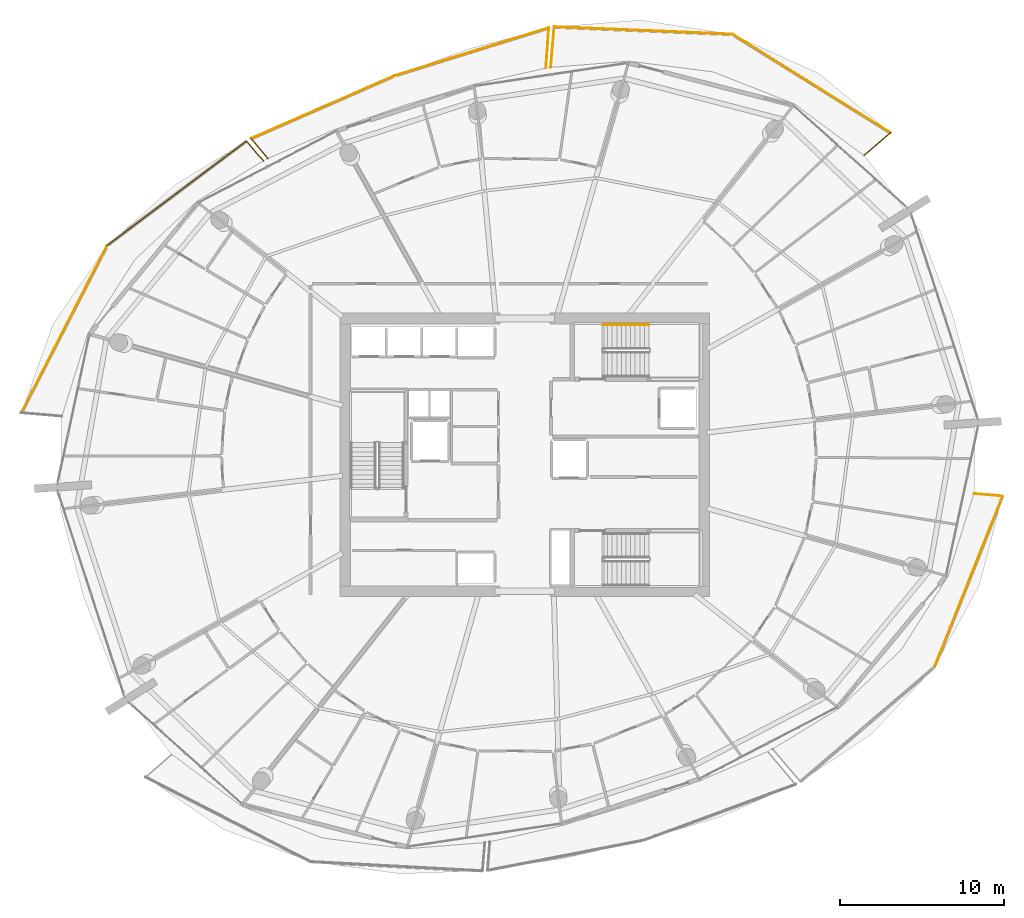
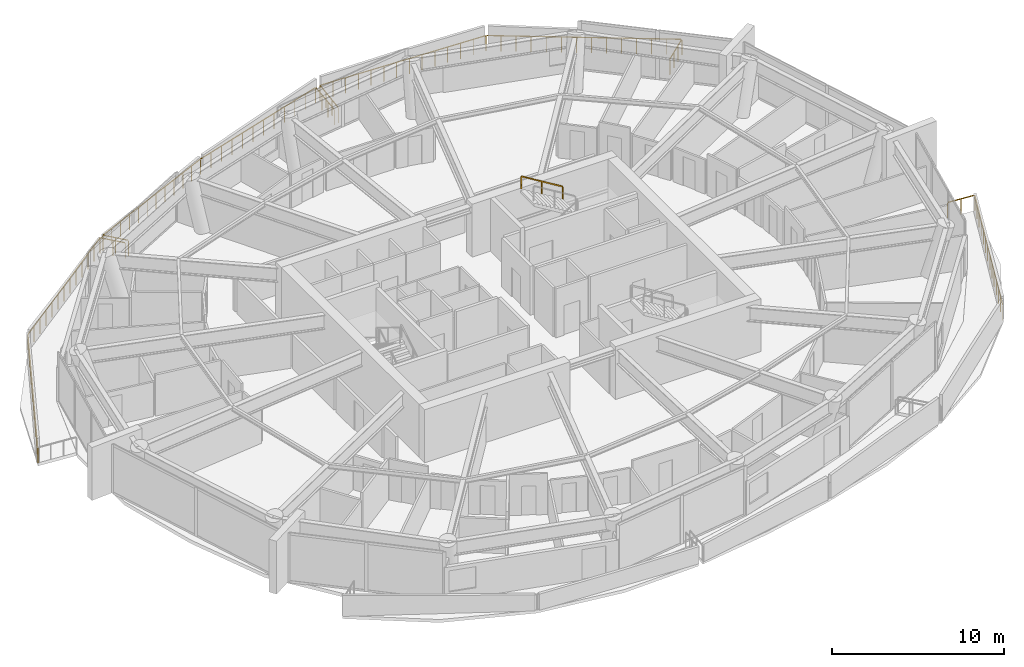
# One storey, part 20 of 20: 14 railings.
"""IFC4 building model written with IfcOpenShell, lengths in metres."""

from ifc_helpers import new_model, si_unit, direction, frame, origin, origin_2d, place, context, subcontext, project, spatial, rectangle, extrude, material, type_object, element, save


model = new_model("IFC4")

# Units and contexts
model_context = context("Model", 3, precision=1e-05, world=origin(), true_north=direction((0.0, 1.0)))
body_context = subcontext(model_context, "Body", "Model", "MODEL_VIEW")
ifc_project = project(units=[si_unit("LENGTHUNIT", "METRE"), si_unit("AREAUNIT", "SQUARE_METRE"), si_unit("VOLUMEUNIT", "CUBIC_METRE"), si_unit("PLANEANGLEUNIT", "RADIAN"), si_unit("MASSUNIT", "GRAM", prefix="KILO")], contexts=[model_context])

# Site, building, storey
site_placement = place(None, origin())
site = spatial("IfcSite", under=ifc_project, at=site_placement, CompositionType="ELEMENT")
building_placement = place(site_placement, origin())
building = spatial("IfcBuilding", under=site, at=building_placement, Name="Kazma Halo Residences", CompositionType="ELEMENT")
storey_placement = place(building_placement, frame((0.0, 0.0, 221.550048828125)))
storey = spatial("IfcBuildingStorey", under=building, at=storey_placement, Name="L56", CompositionType="ELEMENT", Elevation=221.550048828125)

# Railings
ifc_material_1 = material(Name="Aluminium AW-6063 T6 Brushed Cap Rail", Category="aluminium")
railing_type_1 = type_object("IfcRailingType", Name="RLG-BAL-CAP-1120", PredefinedType="BALUSTRADE", material=ifc_material_1)
railing_1_placement = place(storey_placement, frame((69.130126953125, 60.271240234375, 0.0)))
element("IfcRailing", 1, at=railing_1_placement, inside=storey, type_object=railing_type_1, Name="L56 NE wave balcony guard 1", PredefinedType="BALUSTRADE", context=body_context, shape_type="SweptSolid", body=[
    extrude(rectangle(XDim=0.050048828125, YDim=0.050048828125, at=origin_2d()), frame((0.0322265625, 0.02783203125, 1.09521484375), z_axis=(0.75640764882, 0.654100503597, 0.0), x_axis=(-0.654100503597, 0.75640764882, 0.0)), (0.0, 0.0, 1.0), 2.04345703125),
    extrude(rectangle(XDim=0.0400390625, YDim=0.0400390625, at=origin_2d()), origin(), (0.0, 0.0, 1.0), 1.05810546875),
    extrude(rectangle(XDim=0.0400390625, YDim=0.0400390625, at=origin_2d()), frame((0.53662109375, 0.464111328125, 0.0)), (0.0, 0.0, 1.0), 1.05810546875),
    extrude(rectangle(XDim=0.0400390625, YDim=0.0400390625, at=origin_2d()), frame((1.073486328125, 0.92822265625, 0.0)), (0.0, 0.0, 1.0), 1.05810546875),
    extrude(rectangle(XDim=0.0400390625, YDim=0.0400390625, at=origin_2d()), frame((1.610107421875, 1.392333984375, 0.0)), (0.0, 0.0, 1.0), 1.05810546875),
])
railing_2_placement = place(storey_placement, frame((70.740234375, 61.66357421875, 0.0)))
element("IfcRailing", 2, at=railing_2_placement, inside=storey, type_object=railing_type_1, Name="L56 NE wave balcony guard 2", PredefinedType="BALUSTRADE", context=body_context, shape_type="SweptSolid", body=[
    extrude(rectangle(XDim=0.050048828125, YDim=0.050048828125, at=origin_2d()), frame((-0.0361328125, 0.0224609375, 1.09521484375), z_axis=(-0.848753354087, 0.528788940812, 0.0), x_axis=(-0.528788940812, -0.848753354087, 0.0)), (0.0, 0.0, 1.0), 11.29150390625),
    extrude(rectangle(XDim=0.0400390625, YDim=0.0400390625, at=origin_2d()), origin(), (0.0, 0.0, 1.0), 1.05810546875),
    extrude(rectangle(XDim=0.0400390625, YDim=0.0400390625, at=origin_2d()), frame((-0.74267578125, 0.462646484375, 0.0)), (0.0, 0.0, 1.0), 1.05810546875),
    extrude(rectangle(XDim=0.0400390625, YDim=0.0400390625, at=origin_2d()), frame((-1.485595703125, 0.925537109375, 0.0)), (0.0, 0.0, 1.0), 1.05810546875),
    extrude(rectangle(XDim=0.0400390625, YDim=0.0400390625, at=origin_2d()), frame((-2.228271484375, 1.38818359375, 0.0)), (0.0, 0.0, 1.0), 1.05810546875),
    extrude(rectangle(XDim=0.0400390625, YDim=0.0400390625, at=origin_2d()), frame((-2.97119140625, 1.85107421875, 0.0)), (0.0, 0.0, 1.0), 1.05810546875),
    extrude(rectangle(XDim=0.0400390625, YDim=0.0400390625, at=origin_2d()), frame((-3.7138671875, 2.313720703125, 0.0)), (0.0, 0.0, 1.0), 1.05810546875),
    extrude(rectangle(XDim=0.0400390625, YDim=0.0400390625, at=origin_2d()), frame((-4.45654296875, 2.776611328125, 0.0)), (0.0, 0.0, 1.0), 1.05810546875),
    extrude(rectangle(XDim=0.0400390625, YDim=0.0400390625, at=origin_2d()), frame((-5.199462890625, 3.2392578125, 0.0)), (0.0, 0.0, 1.0), 1.05810546875),
    extrude(rectangle(XDim=0.0400390625, YDim=0.0400390625, at=origin_2d()), frame((-5.942138671875, 3.7021484375, 0.0)), (0.0, 0.0, 1.0), 1.05810546875),
    extrude(rectangle(XDim=0.0400390625, YDim=0.0400390625, at=origin_2d()), frame((-6.684814453125, 4.164794921875, 0.0)), (0.0, 0.0, 1.0), 1.05810546875),
    extrude(rectangle(XDim=0.0400390625, YDim=0.0400390625, at=origin_2d()), frame((-7.427734375, 4.627685546875, 0.0)), (0.0, 0.0, 1.0), 1.05810546875),
    extrude(rectangle(XDim=0.0400390625, YDim=0.0400390625, at=origin_2d()), frame((-8.17041015625, 5.09033203125, 0.0)), (0.0, 0.0, 1.0), 1.05810546875),
    extrude(rectangle(XDim=0.0400390625, YDim=0.0400390625, at=origin_2d()), frame((-8.913330078125, 5.55322265625, 0.0)), (0.0, 0.0, 1.0), 1.05810546875),
    extrude(rectangle(XDim=0.0400390625, YDim=0.0400390625, at=origin_2d()), frame((-9.656005859375, 6.015869140625, 0.0)), (0.0, 0.0, 1.0), 1.05810546875),
])
railing_3_placement = place(storey_placement, frame((61.084228515625, 67.679443359375, 0.0)))
element("IfcRailing", 3, at=railing_3_placement, inside=storey, type_object=railing_type_1, Name="L56 NE wave balcony guard 3", PredefinedType="BALUSTRADE", context=body_context, shape_type="SweptSolid", body=[
    extrude(rectangle(XDim=0.050048828125, YDim=0.050048828125, at=origin_2d()), frame((-0.04248046875, 0.001708984375, 1.09521484375), z_axis=(-0.999139247637, 0.041482090486, 0.0), x_axis=(-0.041482090486, -0.999139247637, 0.0)), (0.0, 0.0, 1.0), 10.791259765625),
    extrude(rectangle(XDim=0.0400390625, YDim=0.0400390625, at=origin_2d()), origin(), (0.0, 0.0, 1.0), 1.05810546875),
    extrude(rectangle(XDim=0.0400390625, YDim=0.0400390625, at=origin_2d()), frame((-0.8359375, 0.03466796875, 0.0)), (0.0, 0.0, 1.0), 1.05810546875),
    extrude(rectangle(XDim=0.0400390625, YDim=0.0400390625, at=origin_2d()), frame((-1.671875, 0.0693359375, 0.0)), (0.0, 0.0, 1.0), 1.05810546875),
    extrude(rectangle(XDim=0.0400390625, YDim=0.0400390625, at=origin_2d()), frame((-2.5078125, 0.10400390625, 0.0)), (0.0, 0.0, 1.0), 1.05810546875),
    extrude(rectangle(XDim=0.0400390625, YDim=0.0400390625, at=origin_2d()), frame((-3.34375, 0.138916015625, 0.0)), (0.0, 0.0, 1.0), 1.05810546875),
    extrude(rectangle(XDim=0.0400390625, YDim=0.0400390625, at=origin_2d()), frame((-4.1796875, 0.173583984375, 0.0)), (0.0, 0.0, 1.0), 1.05810546875),
    extrude(rectangle(XDim=0.0400390625, YDim=0.0400390625, at=origin_2d()), frame((-5.015625, 0.208251953125, 0.0)), (0.0, 0.0, 1.0), 1.05810546875),
    extrude(rectangle(XDim=0.0400390625, YDim=0.0400390625, at=origin_2d()), frame((-5.851318359375, 0.242919921875, 0.0)), (0.0, 0.0, 1.0), 1.05810546875),
    extrude(rectangle(XDim=0.0400390625, YDim=0.0400390625, at=origin_2d()), frame((-6.687255859375, 0.277587890625, 0.0)), (0.0, 0.0, 1.0), 1.05810546875),
    extrude(rectangle(XDim=0.0400390625, YDim=0.0400390625, at=origin_2d()), frame((-7.523193359375, 0.312255859375, 0.0)), (0.0, 0.0, 1.0), 1.05810546875),
    extrude(rectangle(XDim=0.0400390625, YDim=0.0400390625, at=origin_2d()), frame((-8.359130859375, 0.34716796875, 0.0)), (0.0, 0.0, 1.0), 1.05810546875),
    extrude(rectangle(XDim=0.0400390625, YDim=0.0400390625, at=origin_2d()), frame((-9.195068359375, 0.3818359375, 0.0)), (0.0, 0.0, 1.0), 1.05810546875),
    extrude(rectangle(XDim=0.0400390625, YDim=0.0400390625, at=origin_2d()), frame((-10.031005859375, 0.41650390625, 0.0)), (0.0, 0.0, 1.0), 1.05810546875),
    extrude(rectangle(XDim=0.0400390625, YDim=0.0400390625, at=origin_2d()), frame((-10.866943359375, 0.451171875, 0.0)), (0.0, 0.0, 1.0), 1.05810546875),
])
railing_4_placement = place(storey_placement, frame((50.21728515625, 68.130615234375, 0.0)))
element("IfcRailing", 4, at=railing_4_placement, inside=storey, type_object=railing_type_1, Name="L56 NE wave balcony guard 4", PredefinedType="BALUSTRADE", context=body_context, shape_type="SweptSolid", body=[
    extrude(rectangle(XDim=0.050048828125, YDim=0.050048828125, at=origin_2d()), frame((-0.003662109375, -0.04248046875, 1.09521484375), z_axis=(-0.084639935833, -0.996411602332, 0.0), x_axis=(0.996411602332, -0.084639935833, 0.0)), (0.0, 0.0, 1.0), 2.3984375),
    extrude(rectangle(XDim=0.0400390625, YDim=0.0400390625, at=origin_2d()), origin(), (0.0, 0.0, 1.0), 1.05810546875),
    extrude(rectangle(XDim=0.0400390625, YDim=0.0400390625, at=origin_2d()), frame((-0.070068359375, -0.824951171875, 0.0)), (0.0, 0.0, 1.0), 1.05810546875),
    extrude(rectangle(XDim=0.0400390625, YDim=0.0400390625, at=origin_2d()), frame((-0.14013671875, -1.649658203125, 0.0)), (0.0, 0.0, 1.0), 1.05810546875),
    extrude(rectangle(XDim=0.0400390625, YDim=0.0400390625, at=origin_2d()), frame((-0.210205078125, -2.474609375, 0.0)), (0.0, 0.0, 1.0), 1.05810546875),
])
railing_5_placement = place(storey_placement, frame((49.713134765625, 65.612060546875, 0.0)))
element("IfcRailing", 5, at=railing_5_placement, inside=storey, type_object=railing_type_1, Name="L56 NNW wave balcony guard 1", PredefinedType="BALUSTRADE", context=body_context, shape_type="SweptSolid", body=[
    extrude(rectangle(XDim=0.050048828125, YDim=0.050048828125, at=origin_2d()), frame((0.003173828125, 0.04248046875, 1.09521484375), z_axis=(0.072387043976, 0.997376616863, 0.0), x_axis=(-0.997376616863, 0.072387043976, 0.0)), (0.0, 0.0, 1.0), 2.38037109375),
    extrude(rectangle(XDim=0.0400390625, YDim=0.0400390625, at=origin_2d()), origin(), (0.0, 0.0, 1.0), 1.05810546875),
    extrude(rectangle(XDim=0.0400390625, YDim=0.0400390625, at=origin_2d()), frame((0.0595703125, 0.819580078125, 0.0)), (0.0, 0.0, 1.0), 1.05810546875),
    extrude(rectangle(XDim=0.0400390625, YDim=0.0400390625, at=origin_2d()), frame((0.118896484375, 1.639404296875, 0.0)), (0.0, 0.0, 1.0), 1.05810546875),
    extrude(rectangle(XDim=0.0400390625, YDim=0.0400390625, at=origin_2d()), frame((0.178466796875, 2.458984375, 0.0)), (0.0, 0.0, 1.0), 1.05810546875),
])
railing_6_placement = place(storey_placement, frame((49.8916015625, 68.071044921875, 0.0)))
element("IfcRailing", 6, at=railing_6_placement, inside=storey, type_object=railing_type_1, Name="L56 NNW wave balcony guard 2", PredefinedType="BALUSTRADE", context=body_context, shape_type="SweptSolid", body=[
    extrude(rectangle(XDim=0.050048828125, YDim=0.050048828125, at=origin_2d()), frame((-0.04052734375, -0.0126953125, 1.09521484375), z_axis=(-0.954910471932, -0.296893904609, 0.0), x_axis=(0.296893904609, -0.954910471932, 0.0)), (0.0, 0.0, 1.0), 9.771240234375),
    extrude(rectangle(XDim=0.0400390625, YDim=0.0400390625, at=origin_2d()), origin(), (0.0, 0.0, 1.0), 1.05810546875),
    extrude(rectangle(XDim=0.0400390625, YDim=0.0400390625, at=origin_2d()), frame((-0.855712890625, -0.26611328125, 0.0)), (0.0, 0.0, 1.0), 1.05810546875),
    extrude(rectangle(XDim=0.0400390625, YDim=0.0400390625, at=origin_2d()), frame((-1.711181640625, -0.531982421875, 0.0)), (0.0, 0.0, 1.0), 1.05810546875),
    extrude(rectangle(XDim=0.0400390625, YDim=0.0400390625, at=origin_2d()), frame((-2.56689453125, -0.798095703125, 0.0)), (0.0, 0.0, 1.0), 1.05810546875),
    extrude(rectangle(XDim=0.0400390625, YDim=0.0400390625, at=origin_2d()), frame((-3.422607421875, -1.064208984375, 0.0)), (0.0, 0.0, 1.0), 1.05810546875),
    extrude(rectangle(XDim=0.0400390625, YDim=0.0400390625, at=origin_2d()), frame((-4.278076171875, -1.330078125, 0.0)), (0.0, 0.0, 1.0), 1.05810546875),
    extrude(rectangle(XDim=0.0400390625, YDim=0.0400390625, at=origin_2d()), frame((-5.1337890625, -1.59619140625, 0.0)), (0.0, 0.0, 1.0), 1.05810546875),
    extrude(rectangle(XDim=0.0400390625, YDim=0.0400390625, at=origin_2d()), frame((-5.9892578125, -1.862060546875, 0.0)), (0.0, 0.0, 1.0), 1.05810546875),
    extrude(rectangle(XDim=0.0400390625, YDim=0.0400390625, at=origin_2d()), frame((-6.844970703125, -2.128173828125, 0.0)), (0.0, 0.0, 1.0), 1.05810546875),
    extrude(rectangle(XDim=0.0400390625, YDim=0.0400390625, at=origin_2d()), frame((-7.70068359375, -2.394287109375, 0.0)), (0.0, 0.0, 1.0), 1.05810546875),
    extrude(rectangle(XDim=0.0400390625, YDim=0.0400390625, at=origin_2d()), frame((-8.55615234375, -2.66015625, 0.0)), (0.0, 0.0, 1.0), 1.05810546875),
    extrude(rectangle(XDim=0.0400390625, YDim=0.0400390625, at=origin_2d()), frame((-9.411865234375, -2.92626953125, 0.0)), (0.0, 0.0, 1.0), 1.05810546875),
])
railing_7_placement = place(storey_placement, frame((40.479736328125, 65.144775390625, 0.0)))
element("IfcRailing", 7, at=railing_7_placement, inside=storey, type_object=railing_type_1, Name="L56 NNW wave balcony guard 3", PredefinedType="BALUSTRADE", context=body_context, shape_type="SweptSolid", body=[
    extrude(rectangle(XDim=0.050048828125, YDim=0.050048828125, at=origin_2d()), frame((-0.0390625, -0.01708984375, 1.09521484375), z_axis=(-0.916057182415, -0.401047676151, 0.0), x_axis=(0.401047676151, -0.916057182415, 0.0)), (0.0, 0.0, 1.0), 9.484619140625),
    extrude(rectangle(XDim=0.0400390625, YDim=0.0400390625, at=origin_2d()), origin(), (0.0, 0.0, 1.0), 1.05810546875),
    extrude(rectangle(XDim=0.0400390625, YDim=0.0400390625, at=origin_2d()), frame((-0.796875, -0.348876953125, 0.0)), (0.0, 0.0, 1.0), 1.05810546875),
    extrude(rectangle(XDim=0.0400390625, YDim=0.0400390625, at=origin_2d()), frame((-1.593994140625, -0.69775390625, 0.0)), (0.0, 0.0, 1.0), 1.05810546875),
    extrude(rectangle(XDim=0.0400390625, YDim=0.0400390625, at=origin_2d()), frame((-2.390869140625, -1.046630859375, 0.0)), (0.0, 0.0, 1.0), 1.05810546875),
    extrude(rectangle(XDim=0.0400390625, YDim=0.0400390625, at=origin_2d()), frame((-3.187744140625, -1.3955078125, 0.0)), (0.0, 0.0, 1.0), 1.05810546875),
    extrude(rectangle(XDim=0.0400390625, YDim=0.0400390625, at=origin_2d()), frame((-3.984619140625, -1.744384765625, 0.0)), (0.0, 0.0, 1.0), 1.05810546875),
    extrude(rectangle(XDim=0.0400390625, YDim=0.0400390625, at=origin_2d()), frame((-4.78173828125, -2.093505859375, 0.0)), (0.0, 0.0, 1.0), 1.05810546875),
    extrude(rectangle(XDim=0.0400390625, YDim=0.0400390625, at=origin_2d()), frame((-5.57861328125, -2.4423828125, 0.0)), (0.0, 0.0, 1.0), 1.05810546875),
    extrude(rectangle(XDim=0.0400390625, YDim=0.0400390625, at=origin_2d()), frame((-6.37548828125, -2.791259765625, 0.0)), (0.0, 0.0, 1.0), 1.05810546875),
    extrude(rectangle(XDim=0.0400390625, YDim=0.0400390625, at=origin_2d()), frame((-7.17236328125, -3.14013671875, 0.0)), (0.0, 0.0, 1.0), 1.05810546875),
    extrude(rectangle(XDim=0.0400390625, YDim=0.0400390625, at=origin_2d()), frame((-7.969482421875, -3.489013671875, 0.0)), (0.0, 0.0, 1.0), 1.05810546875),
    extrude(rectangle(XDim=0.0400390625, YDim=0.0400390625, at=origin_2d()), frame((-8.766357421875, -3.837890625, 0.0)), (0.0, 0.0, 1.0), 1.05810546875),
])
railing_8_placement = place(storey_placement, frame((31.71337890625, 61.306884765625, 0.0)))
element("IfcRailing", 8, at=railing_8_placement, inside=storey, type_object=railing_type_1, Name="L56 NNW wave balcony guard 4", PredefinedType="BALUSTRADE", context=body_context, shape_type="SweptSolid", body=[
    extrude(rectangle(XDim=0.050048828125, YDim=0.050048828125, at=origin_2d()), frame((0.02734375, -0.032470703125, 1.09521484375), z_axis=(0.644719068761, -0.764419598373, 0.0), x_axis=(0.764419598373, 0.644719068761, 0.0)), (0.0, 0.0, 1.0), 1.499755859375),
    extrude(rectangle(XDim=0.0400390625, YDim=0.0400390625, at=origin_2d()), origin(), (0.0, 0.0, 1.0), 1.05810546875),
    extrude(rectangle(XDim=0.0400390625, YDim=0.0400390625, at=origin_2d()), frame((0.5107421875, -0.605712890625, 0.0)), (0.0, 0.0, 1.0), 1.05810546875),
    extrude(rectangle(XDim=0.0400390625, YDim=0.0400390625, at=origin_2d()), frame((1.021728515625, -1.21142578125, 0.0)), (0.0, 0.0, 1.0), 1.05810546875),
])
railing_9_placement = place(storey_placement, frame((32.471435546875, 59.958251953125, 0.0)))
element("IfcRailing", 9, at=railing_9_placement, inside=storey, type_object=railing_type_1, Name="L56 NW wave balcony guard 1", PredefinedType="BALUSTRADE", context=body_context, shape_type="SweptSolid", body=[
    extrude(rectangle(XDim=0.050048828125, YDim=0.050048828125, at=origin_2d()), frame((-0.02783203125, 0.0322265625, 1.09521484375), z_axis=(-0.654099677317, 0.756408363342, 0.0), x_axis=(-0.756408363342, -0.654099677317, 0.0)), (0.0, 0.0, 1.0), 1.504150390625),
    extrude(rectangle(XDim=0.0400390625, YDim=0.0400390625, at=origin_2d()), origin(), (0.0, 0.0, 1.0), 1.05810546875),
    extrude(rectangle(XDim=0.0400390625, YDim=0.0400390625, at=origin_2d()), frame((-0.519775390625, 0.60107421875, 0.0)), (0.0, 0.0, 1.0), 1.05810546875),
    extrude(rectangle(XDim=0.0400390625, YDim=0.0400390625, at=origin_2d()), frame((-1.03955078125, 1.2021484375, 0.0)), (0.0, 0.0, 1.0), 1.05810546875),
])
railing_10_placement = place(storey_placement, frame((31.431884765625, 61.160400390625, 0.0)))
element("IfcRailing", 10, at=railing_10_placement, inside=storey, type_object=railing_type_1, Name="L56 NW wave balcony guard 2", PredefinedType="BALUSTRADE", context=body_context, shape_type="SweptSolid", body=[
    extrude(rectangle(XDim=0.050048828125, YDim=0.050048828125, at=origin_2d()), frame((-0.033935546875, -0.025634765625, 1.09521484375), z_axis=(-0.799768549379, -0.600308476889, 0.0), x_axis=(0.600308476889, -0.799768549379, 0.0)), (0.0, 0.0, 1.0), 10.55029296875),
    extrude(rectangle(XDim=0.0400390625, YDim=0.0400390625, at=origin_2d()), origin(), (0.0, 0.0, 1.0), 1.05810546875),
    extrude(rectangle(XDim=0.0400390625, YDim=0.0400390625, at=origin_2d()), frame((-0.708740234375, -0.531982421875, 0.0)), (0.0, 0.0, 1.0), 1.05810546875),
    extrude(rectangle(XDim=0.0400390625, YDim=0.0400390625, at=origin_2d()), frame((-1.417724609375, -1.06396484375, 0.0)), (0.0, 0.0, 1.0), 1.05810546875),
    extrude(rectangle(XDim=0.0400390625, YDim=0.0400390625, at=origin_2d()), frame((-2.12646484375, -1.59619140625, 0.0)), (0.0, 0.0, 1.0), 1.05810546875),
    extrude(rectangle(XDim=0.0400390625, YDim=0.0400390625, at=origin_2d()), frame((-2.835205078125, -2.128173828125, 0.0)), (0.0, 0.0, 1.0), 1.05810546875),
    extrude(rectangle(XDim=0.0400390625, YDim=0.0400390625, at=origin_2d()), frame((-3.544189453125, -2.66015625, 0.0)), (0.0, 0.0, 1.0), 1.05810546875),
    extrude(rectangle(XDim=0.0400390625, YDim=0.0400390625, at=origin_2d()), frame((-4.2529296875, -3.1923828125, 0.0)), (0.0, 0.0, 1.0), 1.05810546875),
    extrude(rectangle(XDim=0.0400390625, YDim=0.0400390625, at=origin_2d()), frame((-4.961669921875, -3.724365234375, 0.0)), (0.0, 0.0, 1.0), 1.05810546875),
    extrude(rectangle(XDim=0.0400390625, YDim=0.0400390625, at=origin_2d()), frame((-5.670654296875, -4.25634765625, 0.0)), (0.0, 0.0, 1.0), 1.05810546875),
    extrude(rectangle(XDim=0.0400390625, YDim=0.0400390625, at=origin_2d()), frame((-6.37939453125, -4.788330078125, 0.0)), (0.0, 0.0, 1.0), 1.05810546875),
    extrude(rectangle(XDim=0.0400390625, YDim=0.0400390625, at=origin_2d()), frame((-7.088134765625, -5.3203125, 0.0)), (0.0, 0.0, 1.0), 1.05810546875),
    extrude(rectangle(XDim=0.0400390625, YDim=0.0400390625, at=origin_2d()), frame((-7.797119140625, -5.8525390625, 0.0)), (0.0, 0.0, 1.0), 1.05810546875),
    extrude(rectangle(XDim=0.0400390625, YDim=0.0400390625, at=origin_2d()), frame((-8.505859375, -6.384521484375, 0.0)), (0.0, 0.0, 1.0), 1.05810546875),
])
railing_11_placement = place(storey_placement, frame((22.926025390625, 54.77587890625, 0.0)))
element("IfcRailing", 11, at=railing_11_placement, inside=storey, type_object=railing_type_1, Name="L56 NW wave balcony guard 3", PredefinedType="BALUSTRADE", context=body_context, shape_type="SweptSolid", body=[
    extrude(rectangle(XDim=0.050048828125, YDim=0.050048828125, at=origin_2d()), frame((-0.019287109375, -0.037841796875, 1.09521484375), z_axis=(-0.456200806957, -0.889876858746, 0.0), x_axis=(0.889876858746, -0.456200806957, 0.0)), (0.0, 0.0, 1.0), 11.38232421875),
    extrude(rectangle(XDim=0.0400390625, YDim=0.0400390625, at=origin_2d()), origin(), (0.0, 0.0, 1.0), 1.05810546875),
    extrude(rectangle(XDim=0.0400390625, YDim=0.0400390625, at=origin_2d()), frame((-0.40234375, -0.784912109375, 0.0)), (0.0, 0.0, 1.0), 1.05810546875),
    extrude(rectangle(XDim=0.0400390625, YDim=0.0400390625, at=origin_2d()), frame((-0.804931640625, -1.56982421875, 0.0)), (0.0, 0.0, 1.0), 1.05810546875),
    extrude(rectangle(XDim=0.0400390625, YDim=0.0400390625, at=origin_2d()), frame((-1.207275390625, -2.35498046875, 0.0)), (0.0, 0.0, 1.0), 1.05810546875),
    extrude(rectangle(XDim=0.0400390625, YDim=0.0400390625, at=origin_2d()), frame((-1.609619140625, -3.139892578125, 0.0)), (0.0, 0.0, 1.0), 1.05810546875),
    extrude(rectangle(XDim=0.0400390625, YDim=0.0400390625, at=origin_2d()), frame((-2.01220703125, -3.9248046875, 0.0)), (0.0, 0.0, 1.0), 1.05810546875),
    extrude(rectangle(XDim=0.0400390625, YDim=0.0400390625, at=origin_2d()), frame((-2.41455078125, -4.709716796875, 0.0)), (0.0, 0.0, 1.0), 1.05810546875),
    extrude(rectangle(XDim=0.0400390625, YDim=0.0400390625, at=origin_2d()), frame((-2.81689453125, -5.494873046875, 0.0)), (0.0, 0.0, 1.0), 1.05810546875),
    extrude(rectangle(XDim=0.0400390625, YDim=0.0400390625, at=origin_2d()), frame((-3.21923828125, -6.27978515625, 0.0)), (0.0, 0.0, 1.0), 1.05810546875),
    extrude(rectangle(XDim=0.0400390625, YDim=0.0400390625, at=origin_2d()), frame((-3.621826171875, -7.064697265625, 0.0)), (0.0, 0.0, 1.0), 1.05810546875),
    extrude(rectangle(XDim=0.0400390625, YDim=0.0400390625, at=origin_2d()), frame((-4.024169921875, -7.849609375, 0.0)), (0.0, 0.0, 1.0), 1.05810546875),
    extrude(rectangle(XDim=0.0400390625, YDim=0.0400390625, at=origin_2d()), frame((-4.426513671875, -8.634765625, 0.0)), (0.0, 0.0, 1.0), 1.05810546875),
    extrude(rectangle(XDim=0.0400390625, YDim=0.0400390625, at=origin_2d()), frame((-4.8291015625, -9.419677734375, 0.0)), (0.0, 0.0, 1.0), 1.05810546875),
    extrude(rectangle(XDim=0.0400390625, YDim=0.0400390625, at=origin_2d()), frame((-5.2314453125, -10.20458984375, 0.0)), (0.0, 0.0, 1.0), 1.05810546875),
])
railing_12_placement = place(storey_placement, frame((73.4287109375, 29.04345703125, 0.0)))
element("IfcRailing", 12, at=railing_12_placement, inside=storey, type_object=railing_type_1, Name="L56 SE wave balcony guard 3", PredefinedType="BALUSTRADE", context=body_context, shape_type="SweptSolid", body=[
    extrude(rectangle(XDim=0.050048828125, YDim=0.050048828125, at=origin_2d()), frame((0.015625, 0.03955078125, 1.09521484375), z_axis=(0.369783962807, 0.929117764791, 0.0), x_axis=(-0.929117764791, 0.369783962807, 0.0)), (0.0, 0.0, 1.0), 11.157958984375),
    extrude(rectangle(XDim=0.0400390625, YDim=0.0400390625, at=origin_2d()), origin(), (0.0, 0.0, 1.0), 1.05810546875),
    extrude(rectangle(XDim=0.0400390625, YDim=0.0400390625, at=origin_2d()), frame((0.31982421875, 0.803466796875, 0.0)), (0.0, 0.0, 1.0), 1.05810546875),
    extrude(rectangle(XDim=0.0400390625, YDim=0.0400390625, at=origin_2d()), frame((0.6396484375, 1.607177734375, 0.0)), (0.0, 0.0, 1.0), 1.05810546875),
    extrude(rectangle(XDim=0.0400390625, YDim=0.0400390625, at=origin_2d()), frame((0.95947265625, 2.41064453125, 0.0)), (0.0, 0.0, 1.0), 1.05810546875),
    extrude(rectangle(XDim=0.0400390625, YDim=0.0400390625, at=origin_2d()), frame((1.279296875, 3.214111328125, 0.0)), (0.0, 0.0, 1.0), 1.05810546875),
    extrude(rectangle(XDim=0.0400390625, YDim=0.0400390625, at=origin_2d()), frame((1.59912109375, 4.017822265625, 0.0)), (0.0, 0.0, 1.0), 1.05810546875),
    extrude(rectangle(XDim=0.0400390625, YDim=0.0400390625, at=origin_2d()), frame((1.9189453125, 4.8212890625, 0.0)), (0.0, 0.0, 1.0), 1.05810546875),
    extrude(rectangle(XDim=0.0400390625, YDim=0.0400390625, at=origin_2d()), frame((2.238525390625, 5.624755859375, 0.0)), (0.0, 0.0, 1.0), 1.05810546875),
    extrude(rectangle(XDim=0.0400390625, YDim=0.0400390625, at=origin_2d()), frame((2.558349609375, 6.42822265625, 0.0)), (0.0, 0.0, 1.0), 1.05810546875),
    extrude(rectangle(XDim=0.0400390625, YDim=0.0400390625, at=origin_2d()), frame((2.878173828125, 7.23193359375, 0.0)), (0.0, 0.0, 1.0), 1.05810546875),
    extrude(rectangle(XDim=0.0400390625, YDim=0.0400390625, at=origin_2d()), frame((3.197998046875, 8.035400390625, 0.0)), (0.0, 0.0, 1.0), 1.05810546875),
    extrude(rectangle(XDim=0.0400390625, YDim=0.0400390625, at=origin_2d()), frame((3.517822265625, 8.8388671875, 0.0)), (0.0, 0.0, 1.0), 1.05810546875),
    extrude(rectangle(XDim=0.0400390625, YDim=0.0400390625, at=origin_2d()), frame((3.837646484375, 9.642578125, 0.0)), (0.0, 0.0, 1.0), 1.05810546875),
    extrude(rectangle(XDim=0.0400390625, YDim=0.0400390625, at=origin_2d()), frame((4.157470703125, 10.446044921875, 0.0)), (0.0, 0.0, 1.0), 1.05810546875),
])
railing_13_placement = place(storey_placement, frame((77.586181640625, 39.489501953125, 0.0)))
element("IfcRailing", 13, at=railing_13_placement, inside=storey, type_object=railing_type_1, Name="L56 SE wave balcony guard 4", PredefinedType="BALUSTRADE", context=body_context, shape_type="SweptSolid", body=[
    extrude(rectangle(XDim=0.050048828125, YDim=0.050048828125, at=origin_2d()), frame((-0.04248046875, 0.003662109375, 1.09521484375), z_axis=(-0.996418198559, 0.084562246784, 0.0), x_axis=(-0.084562246784, -0.996418198559, 0.0)), (0.0, 0.0, 1.0), 1.673095703125),
    extrude(rectangle(XDim=0.0400390625, YDim=0.0400390625, at=origin_2d()), origin(), (0.0, 0.0, 1.0), 1.05810546875),
    extrude(rectangle(XDim=0.0400390625, YDim=0.0400390625, at=origin_2d()), frame((-0.8759765625, 0.07421875, 0.0)), (0.0, 0.0, 1.0), 1.05810546875),
    extrude(rectangle(XDim=0.0400390625, YDim=0.0400390625, at=origin_2d()), frame((-1.751953125, 0.148681640625, 0.0)), (0.0, 0.0, 1.0), 1.05810546875),
])
ifc_material_2 = material(Name="Brushed Stainless Steel", Category="steel")
railing_type_2 = type_object("IfcRailingType", Name="RLG-STAIR-HND-900", PredefinedType="HANDRAIL", material=ifc_material_2)
railing_14_placement = place(storey_placement, frame((56.0, 49.949951171875, 2.04541015625)))
element("IfcRailing", 14, at=railing_14_placement, inside=storey, type_object=railing_type_2, Name="L56 ST-02 stair handrail 2", PredefinedType="HANDRAIL", context=body_context, shape_type="SweptSolid", body=[
    extrude(rectangle(XDim=0.050048828125, YDim=0.050048828125, at=origin_2d()), frame((-0.036376953125, 0.0, 0.89697265625), z_axis=(-0.854169791009, 0.0, 0.51999420009), x_axis=(0.0, -1.0, 0.0)), (0.0, 0.0, 1.0), 3.193115234375),
    extrude(rectangle(XDim=0.0400390625, YDim=0.0400390625, at=origin_2d()), origin(), (0.0, 0.0, 1.0), 0.837890625),
    extrude(rectangle(XDim=0.0400390625, YDim=0.0400390625, at=origin_2d()), frame((-1.39990234375, 0.0, 0.852294921875)), (0.0, 0.0, 1.0), 0.837890625),
    extrude(rectangle(XDim=0.0400390625, YDim=0.0400390625, at=origin_2d()), frame((-2.800048828125, 0.0, 1.70458984375)), (0.0, 0.0, 1.0), 0.837890625),
])

save(model, "model.ifc")
